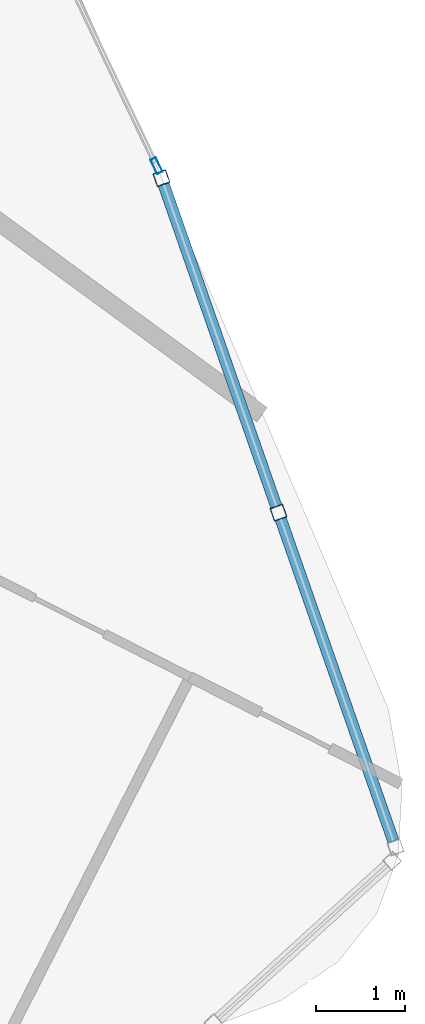
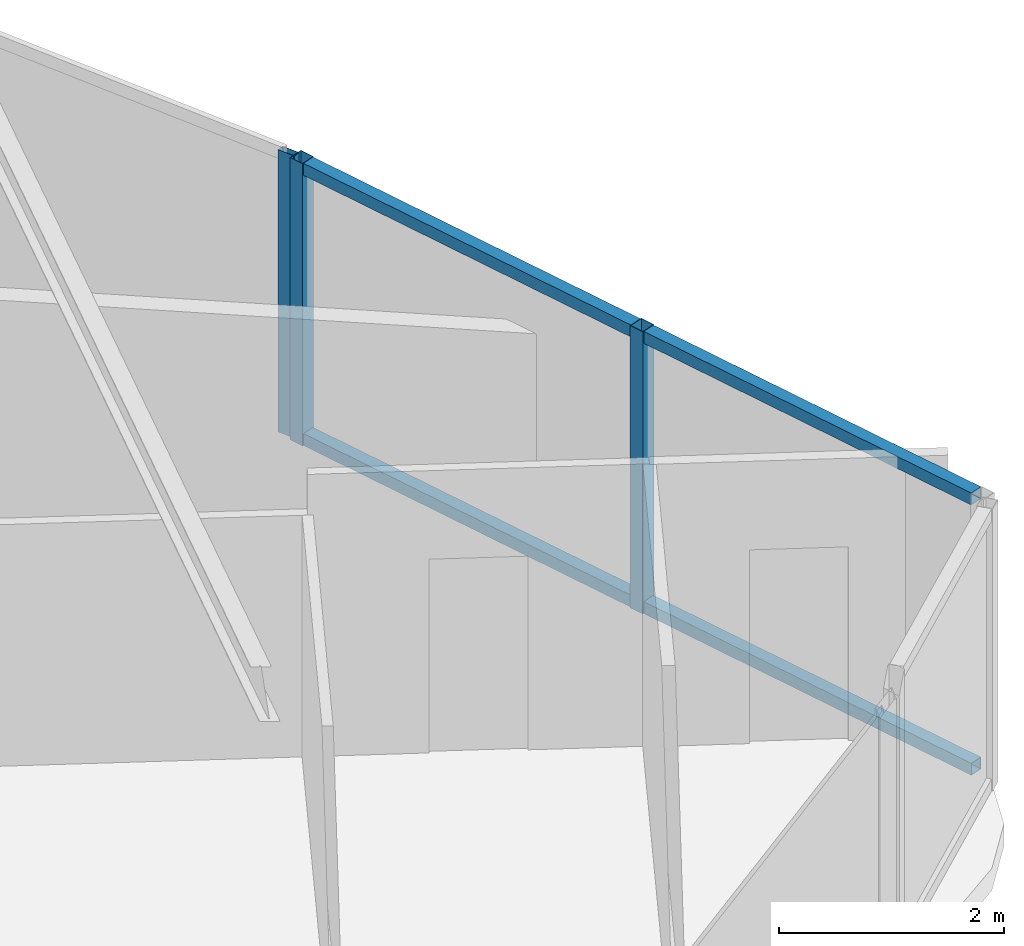
# One storey, part 17 of 35: 7 members, 2 elements without a shape of their own.
"""IFC4 building model written with IfcOpenShell, lengths in metres."""

import ifcopenshell
import ifcopenshell.guid

model = None  # the IFC model being written
_history = None  # IfcOwnerHistory: only IFC2X3 demands one
_inside = {}  # id of a spatial element -> (the spatial element, [elements in it])
_under = {}  # id of a project, library or spatial element -> (it, [spatial elements below it])
_declared = {}  # id of a project -> (the project, [libraries it declares])
_typed = {}  # id of a type object -> (the type object, [elements of that type])
_made_of = {}  # id of a material, layer set ... -> (it, [elements and type objects made of it])


def new_model(schema):
    """Start an empty IFC model of exactly this schema.

    Asked for "IFC4X3", IfcOpenShell would pick the latest addendum, in which some entities
    have other attributes; the version numbers below select the first issue.
    IFC2X3 requires an IfcOwnerHistory on every rooted entity: one is made here for all.
    """
    global model, _history
    if schema == "IFC4X3":
        model = ifcopenshell.file(schema_version=(4, 3, 0, 0))
    else:
        model = ifcopenshell.file(schema=schema)
    _inside.clear()
    _under.clear()
    _declared.clear()
    _typed.clear()
    _made_of.clear()
    _history = None
    if model.schema == "IFC2X3":
        org = make("IfcOrganization", Name="unknown")
        user = make(
            "IfcPersonAndOrganization",
            ThePerson=make("IfcPerson", FamilyName="unknown"),
            TheOrganization=org,
        )
        app = make(
            "IfcApplication",
            ApplicationDeveloper=org,
            Version="unknown",
            ApplicationFullName="unknown",
            ApplicationIdentifier="unknown",
        )
        _history = make(
            "IfcOwnerHistory",
            OwningUser=user,
            OwningApplication=app,
            ChangeAction="ADDED",
            CreationDate=0,
        )
    return model


def make(cls, **values):
    """One entity of the class cls with the attributes given. An attribute that is None is left unset."""
    return model.create_entity(
        cls, **{name: value for name, value in values.items() if value is not None}
    )


def rooted(cls, **values):
    """An entity with a GlobalId (a new one), such as an element, a storey or a relation."""
    return make(cls, GlobalId=ifcopenshell.guid.new(), OwnerHistory=_history, **values)


def si_unit(unit_type, name, prefix=None):
    """IfcSIUnit, for example si_unit("LENGTHUNIT", "METRE", prefix="MILLI")."""
    return make("IfcSIUnit", UnitType=unit_type, Prefix=prefix, Name=name)


def assignment(units):
    """IfcUnitAssignment: the units of a project."""
    return None if units is None else make("IfcUnitAssignment", Units=units)


def point(xyz):
    """IfcCartesianPoint."""
    return None if xyz is None else make("IfcCartesianPoint", Coordinates=xyz)


def direction(xyz):
    """IfcDirection."""
    return None if xyz is None else make("IfcDirection", DirectionRatios=xyz)


def frame(location, z_axis=None, x_axis=None):
    """IfcAxis2Placement3D, a coordinate frame: its origin and axes. An axis left out is left unset."""
    return make(
        "IfcAxis2Placement3D",
        Location=point(location),
        Axis=direction(z_axis),
        RefDirection=direction(x_axis),
    )


def frame_2d(location, x_axis=None):
    """IfcAxis2Placement2D, a coordinate frame in the plane: its origin and x axis."""
    return make(
        "IfcAxis2Placement2D", Location=point(location), RefDirection=direction(x_axis)
    )


def origin():
    """The frame at (0, 0, 0) with its axes left unset."""
    return frame((0.0, 0.0, 0.0))


def origin_2d():
    """The frame at (0, 0) in the plane with its x axis left unset."""
    return frame_2d((0.0, 0.0))


def place(relative_to, where):
    """IfcLocalPlacement: puts the frame where relative to a parent placement (None: the world)."""
    return make(
        "IfcLocalPlacement", PlacementRelTo=relative_to, RelativePlacement=where
    )


def context(
    kind, dimensions, precision=None, world=None, true_north=None, identifier=None
):
    """IfcGeometricRepresentationContext, for example the 3D "Model" context."""
    return make(
        "IfcGeometricRepresentationContext",
        ContextIdentifier=identifier,
        ContextType=kind,
        CoordinateSpaceDimension=dimensions,
        Precision=precision,
        WorldCoordinateSystem=world,
        TrueNorth=true_north,
    )


def subcontext(parent, identifier, kind, view, scale=None):
    """IfcGeometricRepresentationSubContext, for example "Body" below "Model"."""
    return make(
        "IfcGeometricRepresentationSubContext",
        ContextIdentifier=identifier,
        ContextType=kind,
        ParentContext=parent,
        TargetScale=scale,
        TargetView=view,
    )


def project(units=None, contexts=None):
    """IfcProject with its units and contexts."""
    return rooted(
        "IfcProject",
        Name="project",
        RepresentationContexts=contexts,
        UnitsInContext=assignment(units),
    )


def spatial(cls, under=None, at=None, **own):
    """A site, building, storey or space (cls), placed at a placement, below another one or the project."""
    s = rooted(cls, ObjectPlacement=at, **own)
    if under is not None:
        _under.setdefault(under.id(), (under, []))[1].append(s)
    return s


def profile(cls, at=None, kind="AREA", **sizes):
    """A parametric profile (cls). Its sizes go by their IFC names, for example OverallWidth=200.0."""
    return make(cls, ProfileType=kind, Position=at, **sizes)


def hollow_rectangle(**sizes):
    """IfcRectangleHollowProfileDef."""
    return profile("IfcRectangleHollowProfileDef", **sizes)


def extrude(swept, where, along, depth):
    """IfcExtrudedAreaSolid: the profile swept, set in the frame where, extruded along a direction by depth."""
    return make(
        "IfcExtrudedAreaSolid",
        SweptArea=swept,
        Position=where,
        ExtrudedDirection=direction(along),
        Depth=depth,
    )


def shape(context_of_items, identifier, shape_type, items):
    """IfcShapeRepresentation: the items that make up one representation, for example the "Body"."""
    return make(
        "IfcShapeRepresentation",
        ContextOfItems=context_of_items,
        RepresentationIdentifier=identifier,
        RepresentationType=shape_type,
        Items=items,
    )


def material(Name=None, Category=None):
    """IfcMaterial."""
    return make("IfcMaterial", Name=Name, Category=Category)


def layer(
    of_material, thickness, ventilated=None, Name=None, Category=None, Priority=None
):
    """IfcMaterialLayer: one layer of a wall or slab, of a material (None: an air gap)."""
    return make(
        "IfcMaterialLayer",
        Material=of_material,
        LayerThickness=thickness,
        IsVentilated=ventilated,
        Name=Name,
        Category=Category,
        Priority=Priority,
    )


def layer_set(layers, Name=None):
    """IfcMaterialLayerSet."""
    return make("IfcMaterialLayerSet", MaterialLayers=layers, LayerSetName=Name)


def material_profile(
    of_material, cross_section, Name=None, Category=None, Priority=None
):
    """IfcMaterialProfile: a cross section and its material."""
    return make(
        "IfcMaterialProfile",
        Name=Name,
        Material=of_material,
        Profile=cross_section,
        Priority=Priority,
        Category=Category,
    )


def profile_set(profiles, Name=None, composite=None):
    """IfcMaterialProfileSet."""
    return make(
        "IfcMaterialProfileSet",
        Name=Name,
        MaterialProfiles=profiles,
        CompositeProfile=composite,
    )


def made_of(thing, what):
    """Note that an element or type object is made of a material, layer set ...; save() writes the relation."""
    if what is not None:
        _made_of.setdefault(what.id(), (what, []))[1].append(thing)
    return thing


def type_object(cls, material=None, **own):
    """A type object (cls), such as IfcWallType, which elements share."""
    return made_of(rooted(cls, **own), material)


def element(
    cls,
    number,
    at=None,
    inside=None,
    cuts=None,
    type_object=None,
    material=None,
    context=None,
    identifier="Body",
    shape_type=None,
    held_by="IfcProductDefinitionShape",
    body=None,
    shapes=None,
    **own,
):
    """One element of the class cls, such as IfcWall. Its Tag is "e" and its number.

    at: its placement. inside: the storey or other place that contains it. cuts: it is an
    opening in that element (IfcRelVoidsElement). A single representation is given by context,
    identifier, shape_type and body (its items); several are given by shapes. held_by: the class
    of the entity that holds the representations. save() writes the other relations.
    """
    e = rooted(cls, Tag="e%d" % number, ObjectPlacement=at, **own)
    if body is not None:
        shapes = [shape(context, identifier, shape_type, body)]
    if shapes is not None:
        e.Representation = make(held_by, Representations=shapes)
    if inside is not None:
        _inside.setdefault(inside.id(), (inside, []))[1].append(e)
    if cuts is not None:
        rooted(
            "IfcRelVoidsElement", RelatingBuildingElement=cuts, RelatedOpeningElement=e
        )
    if type_object is not None:
        _typed.setdefault(type_object.id(), (type_object, []))[1].append(e)
    return made_of(e, material)


def aggregate(whole, parts):
    """IfcRelAggregates: a whole, such as a stair, and the parts it consists of."""
    return rooted("IfcRelAggregates", RelatingObject=whole, RelatedObjects=parts)


def save(model, path):
    """Write the relations noted so far, then the file.

    IfcRelAggregates (storeys below a building ...), IfcRelContainedInSpatialStructure (elements
    in a storey), IfcRelDefinesByType, IfcRelAssociatesMaterial and IfcRelDeclares: one each for
    every whole, place, type object, material and project.
    """
    for whole, parts in _under.values():
        aggregate(whole, parts)
    for where, things in _inside.values():
        rooted(
            "IfcRelContainedInSpatialStructure",
            RelatedElements=things,
            RelatingStructure=where,
        )
    for kind, things in _typed.values():
        rooted("IfcRelDefinesByType", RelatedObjects=things, RelatingType=kind)
    for what, things in _made_of.values():
        rooted("IfcRelAssociatesMaterial", RelatedObjects=things, RelatingMaterial=what)
    for by, libraries in _declared.values():
        rooted("IfcRelDeclares", RelatingContext=by, RelatedDefinitions=libraries)
    model.write(path)


model = new_model("IFC4")

# Units and contexts
model_context = context("Model", 3, precision=1e-05, world=origin(), true_north=direction((0.0, 1.0)))
body_context = subcontext(model_context, "Body", "Model", "MODEL_VIEW")
ifc_project = project(units=[si_unit("LENGTHUNIT", "METRE"), si_unit("AREAUNIT", "SQUARE_METRE"), si_unit("VOLUMEUNIT", "CUBIC_METRE"), si_unit("PLANEANGLEUNIT", "RADIAN"), si_unit("MASSUNIT", "GRAM", prefix="KILO")], contexts=[model_context])

# Site, building, storey
site_placement = place(None, origin())
site = spatial("IfcSite", under=ifc_project, at=site_placement, CompositionType="ELEMENT")
building_placement = place(site_placement, origin())
building = spatial("IfcBuilding", under=site, at=building_placement, Name="Orvanel Arch Residences", CompositionType="ELEMENT")
storey_placement = place(building_placement, frame((0.0, 0.0, 26.89990234375)))
storey = spatial("IfcBuildingStorey", under=building, at=storey_placement, Name="L06", CompositionType="ELEMENT", Elevation=26.89990234375)

# Curtain wall, members
ifc_material = material(Name="Bronze-anodised aluminium AA6063-T6", Category="aluminium")
ifc_layer_1 = layer(ifc_material, 0.18994140625)
ifc_layer_set_1 = layer_set([ifc_layer_1], Name="Bronze-anodised aluminium AA6063-T6")
curtain_wall_type_1 = type_object("IfcCurtainWallType", Name="CW5-CRN-SYS", PredefinedType="NOTDEFINED", material=ifc_layer_set_1)
curtain_wall_1_placement = place(storey_placement, origin())
curtain_wall_1 = element("IfcCurtainWall", 1, at=curtain_wall_1_placement, inside=storey, type_object=curtain_wall_type_1, Name="L06 CW5-CRN-SYS Unitised Curtain Wall", PredefinedType="NOTDEFINED")
ifc_material_profile_1 = material_profile(ifc_material, hollow_rectangle(XDim=0.14990234375, YDim=0.14990234375, WallThickness=0.0048828125, at=origin_2d()), Name="ALU150x150x5")
ifc_profile_set_1 = profile_set([ifc_material_profile_1], Name="Bronze-anodised aluminium AA6063-T6")
member_type_1 = type_object("IfcMemberType", Name="MUL-150x150", PredefinedType="MULLION", material=ifc_profile_set_1)
member_1_placement = place(storey_placement, frame((60.779541015625, 9.181884765625, 0.0), z_axis=(0.0, 0.0, 1.0), x_axis=(-0.943915900726, -0.330185966322, 0.0)))
member_1 = element("IfcMember", 2, at=member_1_placement, type_object=member_type_1, Name="CW-S5 mullion 2", PredefinedType="MULLION", context=body_context, shape_type="SweptSolid", body=[
    extrude(hollow_rectangle(XDim=0.14990234375, YDim=0.14990234375, WallThickness=0.0048828125, at=origin_2d()), origin(), (0.0, 0.0, 1.0), 3.06005859375),
])
member_2_placement = place(storey_placement, frame((59.462646484375, 12.9462890625, 0.0), z_axis=(0.0, 0.0, 1.0), x_axis=(-0.943915900726, -0.330185966322, 0.0)))
member_2 = element("IfcMember", 3, at=member_2_placement, type_object=member_type_1, Name="CW-S5 mullion 3", PredefinedType="MULLION", context=body_context, shape_type="SweptSolid", body=[
    extrude(hollow_rectangle(XDim=0.14990234375, YDim=0.14990234375, WallThickness=0.0048828125, at=origin_2d()), origin(), (0.0, 0.0, 1.0), 3.06005859375),
])

# Curtain wall, member
ifc_layer_2 = layer(ifc_material, 0.179931640625)
ifc_layer_set_2 = layer_set([ifc_layer_2], Name="Bronze-anodised aluminium AA6063-T6")
curtain_wall_type_2 = type_object("IfcCurtainWallType", Name="CW2-LOW-SYS", PredefinedType="NOTDEFINED", material=ifc_layer_set_2)
curtain_wall_2_placement = place(storey_placement, origin())
curtain_wall_2 = element("IfcCurtainWall", 4, at=curtain_wall_2_placement, inside=storey, type_object=curtain_wall_type_2, Name="L06 CW2-LOW-SYS Unitised Curtain Wall", PredefinedType="NOTDEFINED")
ifc_material_profile_2 = material_profile(ifc_material, hollow_rectangle(XDim=0.070068359375, YDim=0.179931640625, WallThickness=0.00439453125, at=origin_2d()), Name="ALU180x70x4.5")
ifc_profile_set_2 = profile_set([ifc_material_profile_2], Name="Bronze-anodised aluminium AA6063-T6")
member_type_2 = type_object("IfcMemberType", Name="MUL-180x70", PredefinedType="MULLION", material=ifc_profile_set_2)
member_3_placement = place(storey_placement, frame((59.406982421875, 13.085693359375, 0.0), z_axis=(0.0, 0.0, 1.0), x_axis=(-0.903402710016, -0.428793124403, 0.0)))
member_3 = element("IfcMember", 5, at=member_3_placement, type_object=member_type_2, Name="CW-S2 mullion 1", PredefinedType="MULLION", context=body_context, shape_type="SweptSolid", body=[
    extrude(hollow_rectangle(XDim=0.070068359375, YDim=0.179931640625, WallThickness=0.00439453125, at=origin_2d()), origin(), (0.0, 0.0, 1.0), 3.06005859375),
])
aggregate(curtain_wall_2, [member_3])

# Member
ifc_material_profile_3 = material_profile(ifc_material, hollow_rectangle(XDim=0.1298828125, YDim=0.1298828125, WallThickness=0.00439453125, at=origin_2d()), Name="ALU130x130x4.5")
ifc_profile_set_3 = profile_set([ifc_material_profile_3], Name="Bronze-anodised aluminium AA6063-T6")
member_type_3 = type_object("IfcMemberType", Name="TRN-130x130", PredefinedType="USERDEFINED", material=ifc_profile_set_3)
member_4_placement = place(storey_placement, frame((62.071533203125, 5.488525390625, 0.065185546875), z_axis=(-0.330200249609, 0.943910904248, 0.0), x_axis=(-0.943910904248, -0.330200249609, 0.0)))
member_4 = element("IfcMember", 6, at=member_4_placement, type_object=member_type_3, Name="CW-S5 transom 1.1", ObjectType="TRANSOM", PredefinedType="USERDEFINED", context=body_context, shape_type="SweptSolid", body=[
    extrude(hollow_rectangle(XDim=0.1298828125, YDim=0.1298828125, WallThickness=0.00439453125, at=origin_2d()), origin(), (0.0, 0.0, 1.0), 3.838134765625),
])

member_5_placement = place(storey_placement, frame((62.071533203125, 5.488525390625, 2.9951171875), z_axis=(-0.330200249609, 0.943910904248, 0.0), x_axis=(-0.943910904248, -0.330200249609, 0.0)))
member_5 = element("IfcMember", 7, at=member_5_placement, type_object=member_type_3, Name="CW-S5 transom 1.2", ObjectType="TRANSOM", PredefinedType="USERDEFINED", context=body_context, shape_type="SweptSolid", body=[
    extrude(hollow_rectangle(XDim=0.1298828125, YDim=0.1298828125, WallThickness=0.00439453125, at=origin_2d()), origin(), (0.0, 0.0, 1.0), 3.838134765625),
])

member_6_placement = place(storey_placement, frame((60.754638671875, 9.252685546875, 0.065185546875), z_axis=(-0.330143573235, 0.943930728948, 0.0), x_axis=(-0.943930728948, -0.330143573235, 0.0)))
member_6 = element("IfcMember", 8, at=member_6_placement, type_object=member_type_3, Name="CW-S5 transom 2.1", ObjectType="TRANSOM", PredefinedType="USERDEFINED", context=body_context, shape_type="SweptSolid", body=[
    extrude(hollow_rectangle(XDim=0.1298828125, YDim=0.1298828125, WallThickness=0.00439453125, at=origin_2d()), origin(), (0.0, 0.0, 1.0), 3.837890625),
])

member_7_placement = place(storey_placement, frame((60.754638671875, 9.252685546875, 2.9951171875), z_axis=(-0.330143573235, 0.943930728948, 0.0), x_axis=(-0.943930728948, -0.330143573235, 0.0)))
member_7 = element("IfcMember", 9, at=member_7_placement, type_object=member_type_3, Name="CW-S5 transom 2.2", ObjectType="TRANSOM", PredefinedType="USERDEFINED", context=body_context, shape_type="SweptSolid", body=[
    extrude(hollow_rectangle(XDim=0.1298828125, YDim=0.1298828125, WallThickness=0.00439453125, at=origin_2d()), origin(), (0.0, 0.0, 1.0), 3.837890625),
])

aggregate(curtain_wall_1, [member_1, member_2, member_4, member_5, member_6, member_7])

save(model, "model.ifc")
